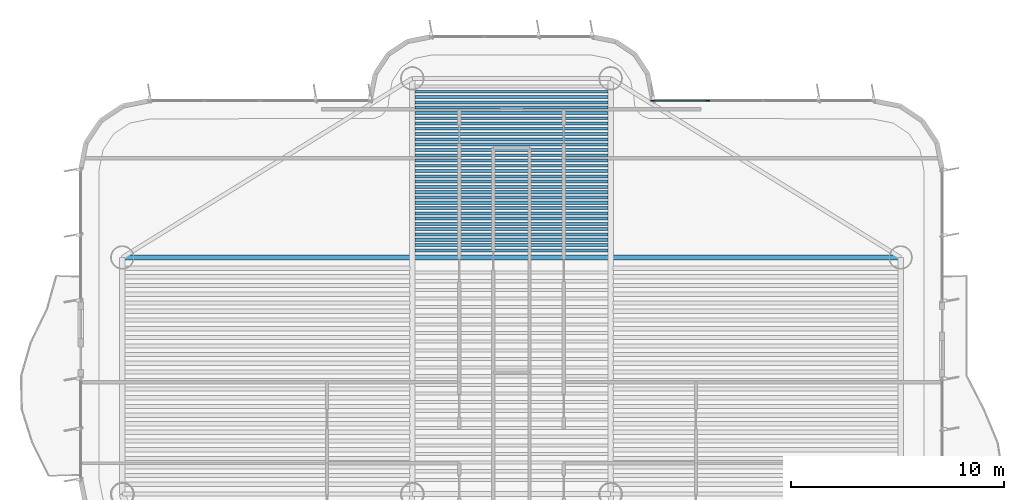
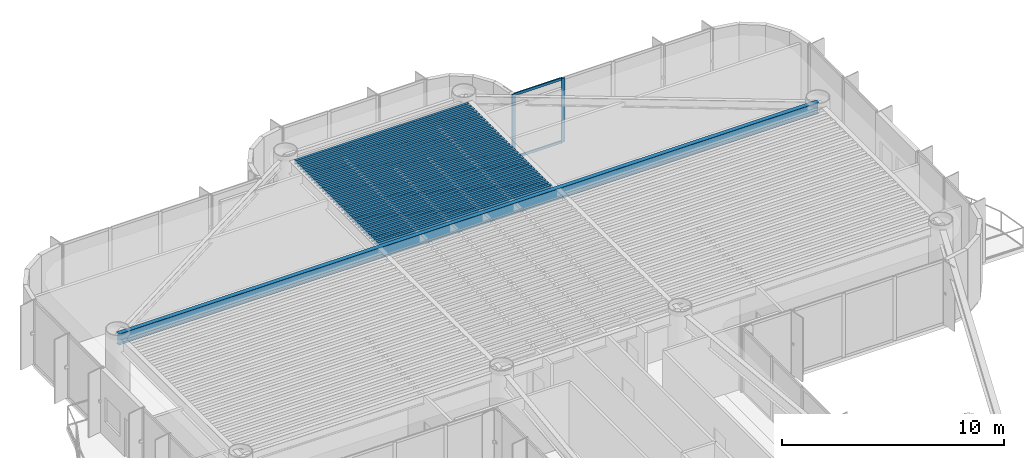
# One storey, part 6 of 14: 32 beams, 4 members, 1 element without a shape of its own.
"""IFC4 building model written with IfcOpenShell, lengths in metres."""

from ifc_helpers import new_model, si_unit, direction, frame, origin, origin_2d, place, context, subcontext, project, spatial, rectangle, i_section, extrude, source, transform, mapped, material, layer, layer_set, material_profile, profile_set, type_object, element, aggregate, save


model = new_model("IFC4")

# Units and contexts
model_context = context("Model", 3, precision=1e-05, world=origin(), true_north=direction((0.0, 1.0)))
body_context = subcontext(model_context, "Body", "Model", "MODEL_VIEW")
ifc_project = project(units=[si_unit("LENGTHUNIT", "METRE"), si_unit("AREAUNIT", "SQUARE_METRE"), si_unit("VOLUMEUNIT", "CUBIC_METRE"), si_unit("PLANEANGLEUNIT", "RADIAN"), si_unit("MASSUNIT", "GRAM", prefix="KILO")], contexts=[model_context])

# Site, building, storey
site_placement = place(None, origin())
site = spatial("IfcSite", under=ifc_project, at=site_placement, CompositionType="ELEMENT")
building_placement = place(site_placement, origin())
building = spatial("IfcBuilding", under=site, at=building_placement, Name="Brelvock Crest Care Tower", CompositionType="ELEMENT")
storey_placement = place(building_placement, frame((0.0, 0.0, 182.8798828125)))
storey = spatial("IfcBuildingStorey", under=building, at=storey_placement, Name="L46", CompositionType="ELEMENT", Elevation=182.8798828125)

# Beams
ifc_material_1 = material(Name="Steel Grade 350", Category="steel")
ifc_material_profile_1 = material_profile(ifc_material_1, i_section(OverallWidth=0.14599609375, OverallDepth=0.256103515625, WebThickness=0.00634765625, FlangeThickness=0.010986328125, FilletRadius=0.0087890625, at=origin_2d()), Name="250UB37.3")
ifc_profile_set_1 = profile_set([ifc_material_profile_1], Name="Steel Grade 350")
beam_type_1 = type_object("IfcBeamType", Name="BM-J3", PredefinedType="JOIST", material=ifc_profile_set_1)
shared_shape_1 = source(origin(), body_context, "Body", "SweptSolid", [
    extrude(i_section(OverallWidth=0.14599609375, OverallDepth=0.256103515625, WebThickness=0.00634765625, FlangeThickness=0.010986328125, FilletRadius=0.0087890625, at=origin_2d()), origin(), (0.0, 0.0, 1.0), 9.06982421875),
])
for number, where, z_axis, x_axis, name in (
    (1, (31.465087890625, 46.385986328125, 3.402099609375), (1.0, 0.0, 0.0), (0.0, 1.0, 0.0), "BM-JN-L46-1"),
    (2, (31.465087890625, 46.6337890625, 3.402099609375), (1.0, 0.0, 0.0), (0.0, 1.0, 0.0), "BM-JN-L46-2"),
    (3, (31.465087890625, 46.881591796875, 3.402099609375), (1.0, 0.0, 0.0), (0.0, 1.0, 0.0), "BM-JN-L46-3"),
    (4, (31.465087890625, 47.12939453125, 3.402099609375), (1.0, 0.0, 0.0), (0.0, 1.0, 0.0), "BM-JN-L46-4"),
    (5, (31.465087890625, 47.377197265625, 3.402099609375), (1.0, 0.0, 0.0), (0.0, 1.0, 0.0), "BM-JN-L46-5"),
    (6, (31.465087890625, 47.625, 3.402099609375), (1.0, 0.0, 0.0), (0.0, 1.0, 0.0), "BM-JN-L46-6"),
    (7, (31.465087890625, 47.872802734375, 3.402099609375), (1.0, 0.0, 0.0), (0.0, 1.0, 0.0), "BM-JN-L46-7"),
    (8, (31.465087890625, 48.12060546875, 3.402099609375), (1.0, 0.0, 0.0), (0.0, 1.0, 0.0), "BM-JN-L46-8"),
    (9, (31.465087890625, 48.368408203125, 3.402099609375), (1.0, 0.0, 0.0), (0.0, 1.0, 0.0), "BM-JN-L46-9"),
    (10, (31.465087890625, 48.6162109375, 3.402099609375), (1.0, 0.0, 0.0), (0.0, 1.0, 0.0), "BM-JN-L46-10"),
    (11, (31.465087890625, 48.864013671875, 3.402099609375), (1.0, 0.0, 0.0), (0.0, 1.0, 0.0), "BM-JN-L46-11"),
    (12, (31.465087890625, 49.11181640625, 3.402099609375), (1.0, 0.0, 0.0), (0.0, 1.0, 0.0), "BM-JN-L46-12"),
    (13, (31.465087890625, 49.359619140625, 3.402099609375), (1.0, 0.0, 0.0), (0.0, 1.0, 0.0), "BM-JN-L46-13"),
):
    element("IfcBeam", number, at=place(storey_placement, frame(where, z_axis=z_axis, x_axis=x_axis)), inside=storey, type_object=beam_type_1, Name=name, PredefinedType="JOIST", context=body_context, shape_type="MappedRepresentation", body=[
        mapped(shared_shape_1, transform((0.0, 0.0, 0.0), x_axis=(1.0, 0.0, 0.0), y_axis=(0.0, 1.0, 0.0), z_axis=(0.0, 0.0, 1.0), scale=1.0)),
    ])
ifc_material_profile_2 = material_profile(ifc_material_1, i_section(OverallWidth=0.134033203125, OverallDepth=0.20703125, WebThickness=0.00634765625, FlangeThickness=0.009521484375, FilletRadius=0.0087890625, at=origin_2d()), Name="200UB29.8")
ifc_profile_set_2 = profile_set([ifc_material_profile_2], Name="Steel Grade 350")
beam_type_2 = type_object("IfcBeamType", Name="BM-J4", PredefinedType="JOIST", material=ifc_profile_set_2)
shared_shape_2 = source(origin(), body_context, "Body", "SweptSolid", [
    extrude(i_section(OverallWidth=0.134033203125, OverallDepth=0.20703125, WebThickness=0.00634765625, FlangeThickness=0.009521484375, FilletRadius=0.0087890625, at=origin_2d()), origin(), (0.0, 0.0, 1.0), 9.06982421875),
])
for number, where, z_axis, x_axis, name in (
    (14, (31.465087890625, 49.607421875, 3.426513671875), (1.0, 0.0, 0.0), (0.0, 1.0, 0.0), "BM-JN-L46-14"),
    (15, (31.465087890625, 49.855224609375, 3.426513671875), (1.0, 0.0, 0.0), (0.0, 1.0, 0.0), "BM-JN-L46-15"),
    (16, (31.465087890625, 50.10302734375, 3.426513671875), (1.0, 0.0, 0.0), (0.0, 1.0, 0.0), "BM-JN-L46-16"),
    (17, (31.465087890625, 50.350830078125, 3.426513671875), (1.0, 0.0, 0.0), (0.0, 1.0, 0.0), "BM-JN-L46-17"),
    (18, (31.465087890625, 50.5986328125, 3.426513671875), (1.0, 0.0, 0.0), (0.0, 1.0, 0.0), "BM-JN-L46-18"),
    (19, (31.465087890625, 50.846435546875, 3.426513671875), (1.0, 0.0, 0.0), (0.0, 1.0, 0.0), "BM-JN-L46-19"),
    (20, (31.465087890625, 51.09423828125, 3.426513671875), (1.0, 0.0, 0.0), (0.0, 1.0, 0.0), "BM-JN-L46-20"),
    (21, (31.465087890625, 51.342041015625, 3.426513671875), (1.0, 0.0, 0.0), (0.0, 1.0, 0.0), "BM-JN-L46-21"),
    (22, (31.465087890625, 51.58984375, 3.426513671875), (1.0, 0.0, 0.0), (0.0, 1.0, 0.0), "BM-JN-L46-22"),
    (23, (31.465087890625, 51.837646484375, 3.426513671875), (1.0, 0.0, 0.0), (0.0, 1.0, 0.0), "BM-JN-L46-23"),
    (24, (31.465087890625, 52.08544921875, 3.426513671875), (1.0, 0.0, 0.0), (0.0, 1.0, 0.0), "BM-JN-L46-24"),
    (25, (31.465087890625, 52.333251953125, 3.426513671875), (1.0, 0.0, 0.0), (0.0, 1.0, 0.0), "BM-JN-L46-25"),
    (26, (31.465087890625, 52.5810546875, 3.426513671875), (1.0, 0.0, 0.0), (0.0, 1.0, 0.0), "BM-JN-L46-26"),
    (27, (31.465087890625, 52.828857421875, 3.426513671875), (1.0, 0.0, 0.0), (0.0, 1.0, 0.0), "BM-JN-L46-27"),
    (28, (31.465087890625, 53.07666015625, 3.426513671875), (1.0, 0.0, 0.0), (0.0, 1.0, 0.0), "BM-JN-L46-28"),
    (29, (31.465087890625, 53.324462890625, 3.426513671875), (1.0, 0.0, 0.0), (0.0, 1.0, 0.0), "BM-JN-L46-29"),
    (30, (31.465087890625, 53.572265625, 3.426513671875), (1.0, 0.0, 0.0), (0.0, 1.0, 0.0), "BM-JN-L46-30"),
    (31, (31.465087890625, 53.820068359375, 3.426513671875), (1.0, 0.0, 0.0), (0.0, 1.0, 0.0), "BM-JN-L46-31"),
):
    element("IfcBeam", number, at=place(storey_placement, frame(where, z_axis=z_axis, x_axis=x_axis)), inside=storey, type_object=beam_type_2, Name=name, PredefinedType="JOIST", context=body_context, shape_type="MappedRepresentation", body=[
        mapped(shared_shape_2, transform((0.0, 0.0, 0.0), x_axis=(1.0, 0.0, 0.0), y_axis=(0.0, 1.0, 0.0), z_axis=(0.0, 0.0, 1.0), scale=1.0)),
    ])
ifc_material_profile_3 = material_profile(ifc_material_1, i_section(OverallWidth=0.22900390625, OverallDepth=0.612060546875, WebThickness=0.011962890625, FlangeThickness=0.01953125, FilletRadius=0.013916015625, at=origin_2d()), Name="610UB125")
ifc_profile_set_3 = profile_set([ifc_material_profile_3], Name="Steel Grade 350")
beam_type_3 = type_object("IfcBeamType", Name="BM-G1", PredefinedType="BEAM", material=ifc_profile_set_3)
shared_shape_3 = source(origin(), body_context, "Body", "SweptSolid", [
    extrude(i_section(OverallWidth=0.22900390625, OverallDepth=0.612060546875, WebThickness=0.011962890625, FlangeThickness=0.01953125, FilletRadius=0.013916015625, at=origin_2d()), origin(), (0.0, 0.0, 1.0), 36.5),
])
beam_placement = place(storey_placement, frame((17.75, 46.050048828125, 3.22412109375), z_axis=(1.0, 0.0, 0.0), x_axis=(0.0, 1.0, 0.0)))
element("IfcBeam", 32, at=beam_placement, inside=storey, type_object=beam_type_3, Name="BM-TWR-L46-11", PredefinedType="BEAM", context=body_context, shape_type="MappedRepresentation", body=[
    mapped(shared_shape_3, transform((0.0, 0.0, 0.0), x_axis=(1.0, 0.0, 0.0), y_axis=(0.0, 1.0, 0.0), z_axis=(0.0, 0.0, 1.0), scale=1.0)),
])

# Curtain wall, members
ifc_material_2 = material(Name="Dark Glass Double Glazed Low-E", Category="glass")
ifc_layer = layer(ifc_material_2, 0.22509765625, Name="CWS-4")
ifc_layer_set = layer_set([ifc_layer], Name="Dark Glass Double Glazed Low-E")
curtain_wall_type = type_object("IfcCurtainWallType", Name="CWS-4", PredefinedType="NOTDEFINED", material=ifc_layer_set)
curtain_wall_placement = place(storey_placement, origin())
curtain_wall = element("IfcCurtainWall", 33, at=curtain_wall_placement, inside=storey, type_object=curtain_wall_type, Name="L46 Curtain Wall E34", PredefinedType="NOTDEFINED")
ifc_material_3 = material(Name="Aluminium 6063-T6", Category="aluminium")
ifc_material_profile_4 = material_profile(ifc_material_3, rectangle(XDim=0.06005859375, YDim=0.179931640625, at=origin_2d()), Name="ALU60x180")
ifc_profile_set_4 = profile_set([ifc_material_profile_4], Name="Aluminium 6063-T6")
member_type_1 = type_object("IfcMemberType", Name="CWM-2", PredefinedType="MULLION", material=ifc_profile_set_4)
shared_shape_4 = source(origin(), body_context, "Body", "SweptSolid", [
    extrude(rectangle(XDim=0.06005859375, YDim=0.179931640625, at=origin_2d()), origin(), (0.0, 0.0, 1.0), 3.530029296875),
])
member_1_placement = place(storey_placement, frame((42.6298828125, 53.39990234375, 0.0), z_axis=(0.0, 0.0, 1.0), x_axis=(0.0, 1.0, 0.0)))
member_1 = element("IfcMember", 34, at=member_1_placement, type_object=member_type_1, Name="CW-4 mullion 1", PredefinedType="MULLION", context=body_context, shape_type="MappedRepresentation", body=[
    mapped(shared_shape_4, transform((0.0, 0.0, 0.0), x_axis=(1.0, 0.0, 0.0), y_axis=(0.0, 1.0, 0.0), z_axis=(0.0, 0.0, 1.0), scale=1.0)),
])
member_2_placement = place(storey_placement, frame((45.199951171875, 53.39990234375, 0.0), z_axis=(0.0, 0.0, 1.0), x_axis=(0.0, 1.0, 0.0)))
member_2 = element("IfcMember", 35, at=member_2_placement, type_object=member_type_1, Name="CW-4 mullion 2", PredefinedType="MULLION", context=body_context, shape_type="MappedRepresentation", body=[
    mapped(shared_shape_4, transform((0.0, 0.0, 0.0), x_axis=(1.0, 0.0, 0.0), y_axis=(0.0, 1.0, 0.0), z_axis=(0.0, 0.0, 1.0), scale=1.0)),
])
ifc_material_profile_5 = material_profile(ifc_material_3, rectangle(XDim=0.06005859375, YDim=0.139892578125, at=origin_2d()), Name="ALU60x140")
ifc_profile_set_5 = profile_set([ifc_material_profile_5], Name="Aluminium 6063-T6")
member_type_2 = type_object("IfcMemberType", Name="CWT-2", PredefinedType="USERDEFINED", material=ifc_profile_set_5)
shared_shape_5 = source(origin(), body_context, "Body", "SweptSolid", [
    extrude(rectangle(XDim=0.06005859375, YDim=0.139892578125, at=origin_2d()), origin(), (0.0, 0.0, 1.0), 2.510009765625),
])
member_3_placement = place(storey_placement, frame((42.659912109375, 53.39990234375, 0.030029296875), z_axis=(1.0, 0.0, 0.0), x_axis=(0.0, 1.0, 0.0)))
member_3 = element("IfcMember", 36, at=member_3_placement, type_object=member_type_2, Name="CW-4 transom 1.1", ObjectType="TRANSOM", PredefinedType="USERDEFINED", context=body_context, shape_type="MappedRepresentation", body=[
    mapped(shared_shape_5, transform((0.0, 0.0, 0.0), x_axis=(1.0, 0.0, 0.0), y_axis=(0.0, 1.0, 0.0), z_axis=(0.0, 0.0, 1.0), scale=1.0)),
])
member_4_placement = place(storey_placement, frame((42.659912109375, 53.39990234375, 3.5), z_axis=(1.0, 0.0, 0.0), x_axis=(0.0, 1.0, 0.0)))
member_4 = element("IfcMember", 37, at=member_4_placement, type_object=member_type_2, Name="CW-4 transom 1.2", ObjectType="TRANSOM", PredefinedType="USERDEFINED", context=body_context, shape_type="MappedRepresentation", body=[
    mapped(shared_shape_5, transform((0.0, 0.0, 0.0), x_axis=(1.0, 0.0, 0.0), y_axis=(0.0, 1.0, 0.0), z_axis=(0.0, 0.0, 1.0), scale=1.0)),
])
aggregate(curtain_wall, [member_1, member_2, member_3, member_4])

save(model, "model.ifc")
